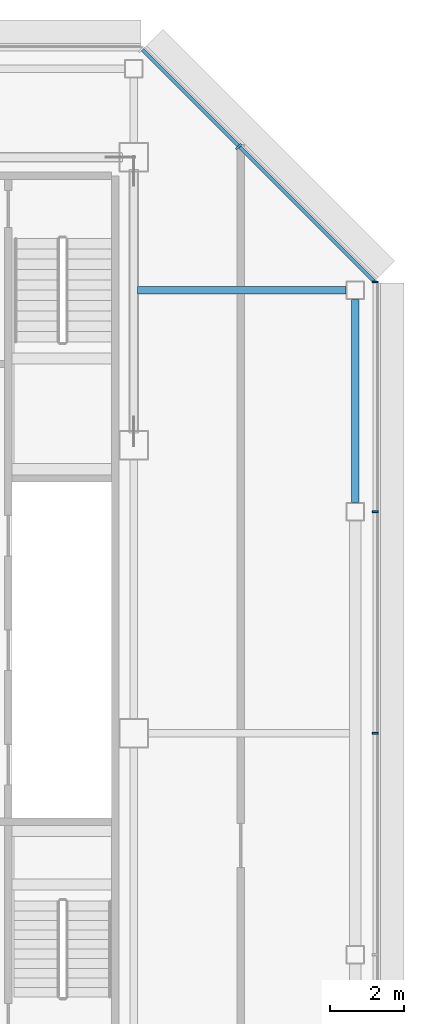
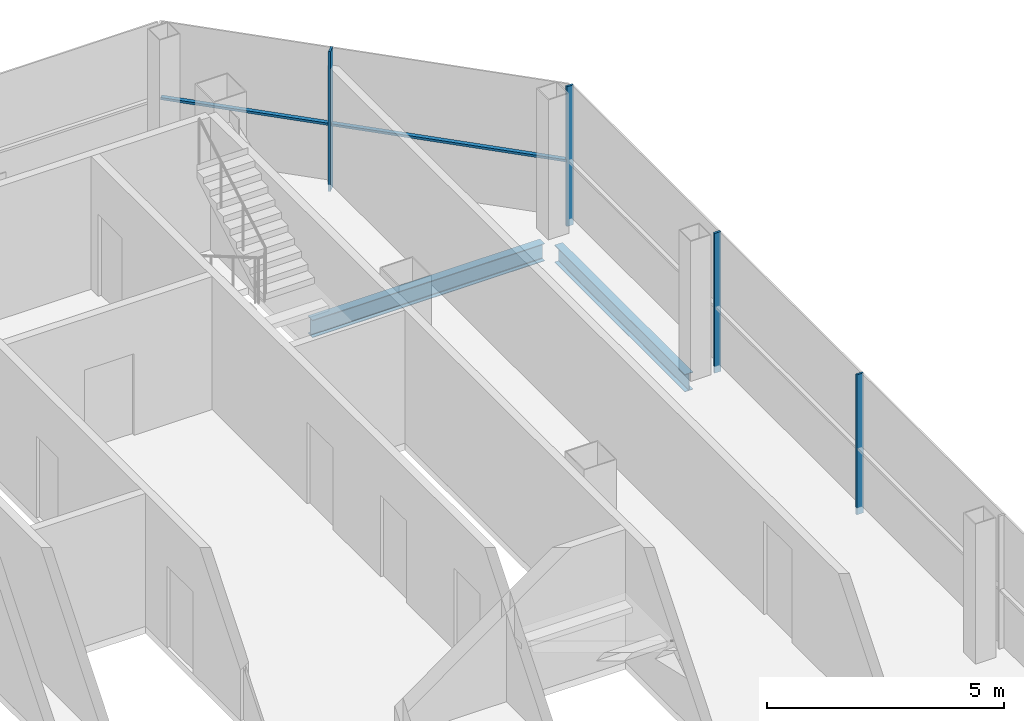
# One storey, part 19 of 28: 5 members, 2 beams, 2 elements without a shape of their own.
"""IFC4 building model written with IfcOpenShell, lengths in metres."""

from ifc_helpers import new_model, si_unit, direction, frame, origin, origin_2d, place, context, subcontext, project, spatial, rectangle, i_section, extrude, material, material_profile, profile_set, type_object, element, aggregate, save


model = new_model("IFC4")

# Units and contexts
model_context = context("Model", 3, precision=1e-05, world=origin(), true_north=direction((0.0, 1.0)))
body_context = subcontext(model_context, "Body", "Model", "MODEL_VIEW")
ifc_project = project(units=[si_unit("LENGTHUNIT", "METRE"), si_unit("AREAUNIT", "SQUARE_METRE"), si_unit("VOLUMEUNIT", "CUBIC_METRE"), si_unit("PLANEANGLEUNIT", "RADIAN"), si_unit("MASSUNIT", "GRAM", prefix="KILO")], contexts=[model_context])

# Site, building, storey
site_placement = place(None, origin())
site = spatial("IfcSite", under=ifc_project, at=site_placement, CompositionType="ELEMENT")
building_placement = place(site_placement, origin())
building = spatial("IfcBuilding", under=site, at=building_placement, Name="Sorahane Residences", CompositionType="ELEMENT")
storey_placement = place(building_placement, frame((0.0, 0.0, 308.800048828125)))
storey = spatial("IfcBuildingStorey", under=building, at=storey_placement, Name="L73", CompositionType="ELEMENT", Elevation=308.800048828125)

# Curtain wall, members
ifc_material_1 = material(Name="Dark low-e glass and black anodised aluminium", Category="aluminium")
curtain_wall_type_1 = type_object("IfcCurtainWallType", Name="Curtain wall CW-1 Typical unitised wall", PredefinedType="NOTDEFINED", material=ifc_material_1)
curtain_wall_1_placement = place(storey_placement, origin())
curtain_wall_1 = element("IfcCurtainWall", 1, at=curtain_wall_1_placement, inside=storey, type_object=curtain_wall_type_1, Name="CW-1 curtain wall L73 E1", PredefinedType="NOTDEFINED")
ifc_material_2 = material(Name="Black anodised aluminium", Category="aluminium")
ifc_material_profile_1 = material_profile(ifc_material_2, rectangle(XDim=0.159912109375, YDim=0.050048828125, at=origin_2d()), Name="Curtain wall mullion CW-1 black anodised aluminium 50x160")
ifc_profile_set_1 = profile_set([ifc_material_profile_1], Name="Black anodised aluminium")
member_type_1 = type_object("IfcMemberType", Name="Curtain wall mullion CW-1 black anodised aluminium 50x160", PredefinedType="MULLION", material=ifc_profile_set_1)
member_1_placement = place(storey_placement, frame((48.5400390625, 30.0, -0.179931640625), z_axis=(0.0, 0.0, 1.0), x_axis=(1.0, 0.0, 0.0)))
member_1 = element("IfcMember", 2, at=member_1_placement, type_object=member_type_1, Name="CW-1 mullion L73 E1.5", PredefinedType="MULLION", context=body_context, shape_type="SweptSolid", body=[
    extrude(rectangle(XDim=0.159912109375, YDim=0.050048828125, at=origin_2d()), origin(), (0.0, 0.0, 1.0), 3.599853515625),
])
member_2_placement = place(storey_placement, frame((48.5400390625, 36.0, -0.179931640625), z_axis=(0.0, 0.0, 1.0), x_axis=(1.0, 0.0, 0.0)))
member_2 = element("IfcMember", 3, at=member_2_placement, type_object=member_type_1, Name="CW-1 mullion L73 E1.6", PredefinedType="MULLION", context=body_context, shape_type="SweptSolid", body=[
    extrude(rectangle(XDim=0.159912109375, YDim=0.050048828125, at=origin_2d()), origin(), (0.0, 0.0, 1.0), 3.599853515625),
])
member_3_placement = place(storey_placement, frame((48.5400390625, 42.2236328125, -0.179931640625), z_axis=(0.0, 0.0, 1.0), x_axis=(1.0, 0.0, 0.0)))
member_3 = element("IfcMember", 4, at=member_3_placement, type_object=member_type_1, Name="CW-1 mullion L73 E1.7", PredefinedType="MULLION", context=body_context, shape_type="SweptSolid", body=[
    extrude(rectangle(XDim=0.159912109375, YDim=0.050048828125, at=origin_2d()), origin(), (0.0, 0.0, 1.0), 3.599853515625),
])
aggregate(curtain_wall_1, [member_1, member_2, member_3])

ifc_material_3 = material(Name="Dark low-e glass and black anodised aluminium", Category="aluminium")
curtain_wall_type_2 = type_object("IfcCurtainWallType", Name="Curtain wall CW-2 Chamfer unitised wall", PredefinedType="NOTDEFINED", material=ifc_material_3)
curtain_wall_2_placement = place(storey_placement, origin())
curtain_wall_2 = element("IfcCurtainWall", 5, at=curtain_wall_2_placement, inside=storey, type_object=curtain_wall_type_2, Name="CW-2 curtain wall L73 NE1", PredefinedType="NOTDEFINED")
ifc_material_4 = material(Name="Black anodised aluminium", Category="aluminium")
ifc_material_profile_2 = material_profile(ifc_material_4, rectangle(XDim=0.199951171875, YDim=0.050048828125, at=origin_2d()), Name="Curtain wall mullion CW-2 black anodised aluminium 50x200")
ifc_profile_set_2 = profile_set([ifc_material_profile_2], Name="Black anodised aluminium")
member_type_2 = type_object("IfcMemberType", Name="Curtain wall mullion CW-2 black anodised aluminium 50x200", PredefinedType="MULLION", material=ifc_profile_set_2)
member_4_placement = place(storey_placement, frame((44.84326171875, 45.89208984375, -0.179931640625), z_axis=(0.0, 0.0, 1.0), x_axis=(0.707106781187, 0.707106781187, 0.0)))
member_4 = element("IfcMember", 6, at=member_4_placement, type_object=member_type_2, Name="CW-2 mullion L73 NE1.2", PredefinedType="MULLION", context=body_context, shape_type="SweptSolid", body=[
    extrude(rectangle(XDim=0.199951171875, YDim=0.050048828125, at=origin_2d()), origin(), (0.0, 0.0, 1.0), 3.599853515625),
])
ifc_material_5 = material(Name="Black anodised aluminium", Category="aluminium")
ifc_material_profile_3 = material_profile(ifc_material_5, rectangle(XDim=0.10009765625, YDim=0.06005859375, at=origin_2d()), Name="Curtain wall transom CW-2 black anodised aluminium 60x100")
ifc_profile_set_3 = profile_set([ifc_material_profile_3], Name="Black anodised aluminium")
member_type_3 = type_object("IfcMemberType", Name="Curtain wall transom CW-2 black anodised aluminium 60x100", PredefinedType="USERDEFINED", material=ifc_profile_set_3)
member_5_placement = place(storey_placement, frame((48.51513671875, 42.234375, 1.5), z_axis=(-0.707106781187, 0.707106781187, 0.0), x_axis=(-0.707106781187, -0.707106781187, 0.0)))
member_5 = element("IfcMember", 7, at=member_5_placement, type_object=member_type_3, Name="CW-2 transom L73 NE1", ObjectType="TRANSOM", PredefinedType="USERDEFINED", context=body_context, shape_type="SweptSolid", body=[
    extrude(rectangle(XDim=0.10009765625, YDim=0.06005859375, at=origin_2d()), origin(), (0.0, 0.0, 1.0), 8.88232421875),
])
aggregate(curtain_wall_2, [member_4, member_5])

# Beams
ifc_material_6 = material(Name="Steel Q355B", Category="steel")
ifc_material_profile_4 = material_profile(ifc_material_6, i_section(OverallWidth=0.199951171875, OverallDepth=0.449951171875, WebThickness=0.009033203125, FlangeThickness=0.013916015625, FilletRadius=0.02001953125, at=origin_2d()), Name="HN 450x200x9x14")
ifc_profile_set_4 = profile_set([ifc_material_profile_4], Name="Steel Q355B")
beam_type = type_object("IfcBeamType", Name="Steel floor beam HN 450x200x9x14 Q355B", PredefinedType="BEAM", material=ifc_profile_set_4)
beam_1_placement = place(storey_placement, frame((48.0, 36.25, -0.405029296875), z_axis=(0.0, 1.0, 0.0), x_axis=(-1.0, 0.0, 0.0)))
element("IfcBeam", 8, at=beam_1_placement, inside=storey, type_object=beam_type, Name="Beam L73 065", PredefinedType="BEAM", context=body_context, shape_type="SweptSolid", body=[
    extrude(i_section(OverallWidth=0.199951171875, OverallDepth=0.449951171875, WebThickness=0.009033203125, FlangeThickness=0.013916015625, FilletRadius=0.02001953125, at=origin_2d()), origin(), (0.0, 0.0, 1.0), 5.5),
])
beam_2_placement = place(storey_placement, frame((42.10009765625, 42.0, -0.405029296875), z_axis=(1.0, 0.0, 0.0), x_axis=(0.0, 1.0, 0.0)))
element("IfcBeam", 9, at=beam_2_placement, inside=storey, type_object=beam_type, Name="Beam L73 090", PredefinedType="BEAM", context=body_context, shape_type="SweptSolid", body=[
    extrude(i_section(OverallWidth=0.199951171875, OverallDepth=0.449951171875, WebThickness=0.009033203125, FlangeThickness=0.013916015625, FilletRadius=0.02001953125, at=origin_2d()), origin(), (0.0, 0.0, 1.0), 5.64990234375),
])

save(model, "model.ifc")
